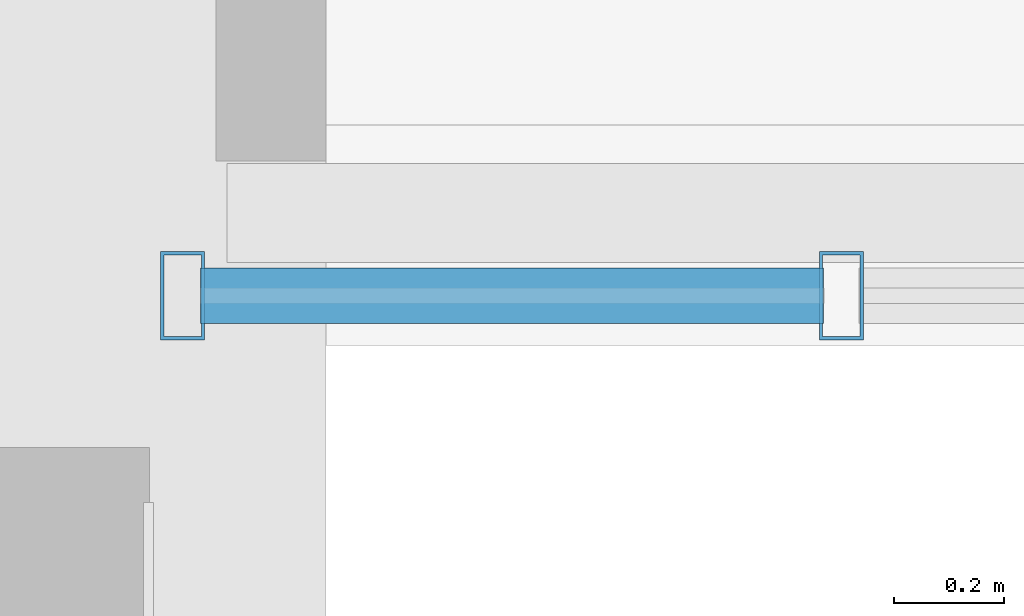
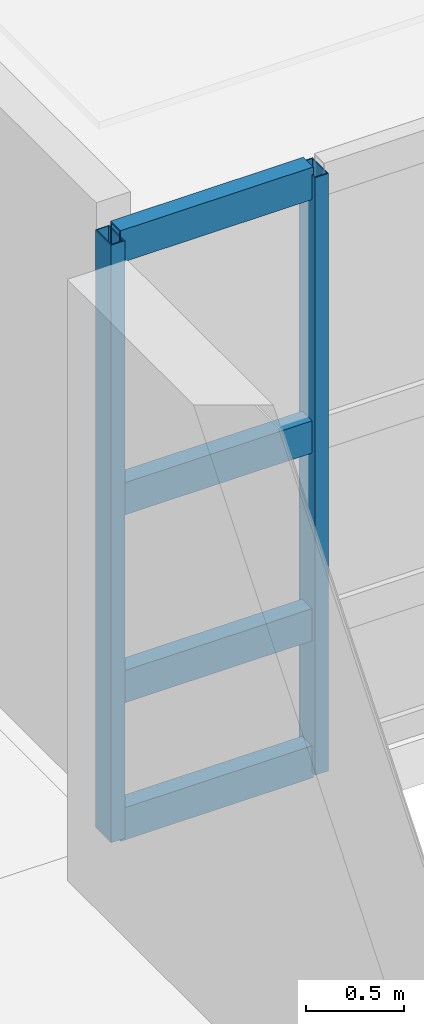
# One storey, part 53 of 127: 6 members, 1 element without a shape of its own.
"""IFC4 building model written with IfcOpenShell, lengths in metres."""

from ifc_helpers import new_model, si_unit, derived_unit, direction, frame, origin, origin_2d, place, context, subcontext, project, spatial, hollow_rectangle, extrude, material, layer, layer_set, material_profile, profile_set, type_object, element, aggregate, save


model = new_model("IFC4")

# Units and contexts
model_context = context("Model", 3, precision=1e-05, world=origin(), true_north=direction((0.0, 1.0)))
body_context = subcontext(model_context, "Body", "Model", "MODEL_VIEW")
ifc_project = project(units=[si_unit("LENGTHUNIT", "METRE"), si_unit("AREAUNIT", "SQUARE_METRE"), si_unit("VOLUMEUNIT", "CUBIC_METRE"), si_unit("PLANEANGLEUNIT", "RADIAN"), si_unit("MASSUNIT", "GRAM", prefix="KILO"), derived_unit("THERMALTRANSMITTANCEUNIT", [(si_unit("POWERUNIT", "WATT"), 1), (si_unit("LENGTHUNIT", "METRE"), -2), (si_unit("THERMODYNAMICTEMPERATUREUNIT", "KELVIN"), -1)])], contexts=[model_context])

# Site, building, storey
site_placement = place(None, origin())
site = spatial("IfcSite", under=ifc_project, at=site_placement, CompositionType="ELEMENT")
building_placement = place(site_placement, origin())
building = spatial("IfcBuilding", under=site, at=building_placement, Name="Nallur Shell Playhouse", CompositionType="ELEMENT")
storey_placement = place(building_placement, frame((0.0, 0.0, 5.39990234375)))
storey = spatial("IfcBuildingStorey", under=building, at=storey_placement, Name="L02", CompositionType="ELEMENT", Elevation=5.39990234375)

# Curtain wall, members
ifc_material_1 = material(Name="Anodised Aluminium Double-Glazed Facade System", Category="aluminium")
ifc_layer = layer(ifc_material_1, 0.159912109375)
ifc_layer_set = layer_set([ifc_layer], Name="Anodised Aluminium Double-Glazed Facade System")
curtain_wall_type = type_object("IfcCurtainWallType", Name="CW-UNIT-18", PredefinedType="NOTDEFINED", material=ifc_layer_set)
curtain_wall_placement = place(storey_placement, origin())
curtain_wall = element("IfcCurtainWall", 1, at=curtain_wall_placement, inside=storey, type_object=curtain_wall_type, Name="Unitised curtain wall CW-050 (L02)", PredefinedType="NOTDEFINED")
ifc_material_2 = material(Name="Aluminium Alloy 6063-T6 Mullion", Category="aluminium")
ifc_material_profile_1 = material_profile(ifc_material_2, hollow_rectangle(XDim=0.080078125, YDim=0.159912109375, WallThickness=0.006103515625, at=origin_2d()), Name="RHS 160x80x6")
ifc_profile_set_1 = profile_set([ifc_material_profile_1], Name="Aluminium Alloy 6063-T6 Mullion")
member_type_1 = type_object("IfcMemberType", Name="MB-CW-MUL150", PredefinedType="MULLION", material=ifc_profile_set_1)
member_1_placement = place(storey_placement, frame((119.83447265625, 24.090087890625, -0.014892578125), z_axis=(0.0, 0.0, 1.0), x_axis=(-1.0, 0.0, 0.0)))
member_1 = element("IfcMember", 2, at=member_1_placement, type_object=member_type_1, Name="CW-18 mullion 3", PredefinedType="MULLION", context=body_context, shape_type="SweptSolid", body=[
    extrude(hollow_rectangle(XDim=0.080078125, YDim=0.159912109375, WallThickness=0.006103515625, at=origin_2d()), origin(), (0.0, 0.0, 1.0), 3.7041015625),
])
member_2_placement = place(storey_placement, frame((118.639892578125, 24.090087890625, -0.014892578125), z_axis=(0.0, 0.0, 1.0), x_axis=(-1.0, 0.0, 0.0)))
member_2 = element("IfcMember", 3, at=member_2_placement, type_object=member_type_1, Name="CW-18 mullion 4", PredefinedType="MULLION", context=body_context, shape_type="SweptSolid", body=[
    extrude(hollow_rectangle(XDim=0.080078125, YDim=0.159912109375, WallThickness=0.006103515625, at=origin_2d()), origin(), (0.0, 0.0, 1.0), 3.7041015625),
])
ifc_material_3 = material(Name="Aluminium Alloy 6063-T6 Transom", Category="aluminium")
ifc_material_profile_2 = material_profile(ifc_material_3, hollow_rectangle(XDim=0.10009765625, YDim=0.199951171875, WallThickness=0.008056640625, at=origin_2d()), Name="RHS 200x100x8")
ifc_profile_set_2 = profile_set([ifc_material_profile_2], Name="Aluminium Alloy 6063-T6 Transom")
member_type_2 = type_object("IfcMemberType", Name="MB-CW-TRN140", PredefinedType="USERDEFINED", material=ifc_profile_set_2)
member_3_placement = place(storey_placement, frame((119.802490234375, 24.090087890625, 0.050048828125), z_axis=(-1.0, 0.0, 0.0), x_axis=(0.0, -1.0, 0.0)))
member_3 = element("IfcMember", 4, at=member_3_placement, type_object=member_type_2, Name="CW-18 transom 3.1", ObjectType="TRANSOM", PredefinedType="USERDEFINED", context=body_context, shape_type="SweptSolid", body=[
    extrude(hollow_rectangle(XDim=0.10009765625, YDim=0.199951171875, WallThickness=0.008056640625, at=origin_2d()), origin(), (0.0, 0.0, 1.0), 1.13037109375),
])
member_4_placement = place(storey_placement, frame((119.802490234375, 24.090087890625, 0.900146484375), z_axis=(-1.0, 0.0, 0.0), x_axis=(0.0, -1.0, 0.0)))
member_4 = element("IfcMember", 5, at=member_4_placement, type_object=member_type_2, Name="CW-18 transom 3.2", ObjectType="TRANSOM", PredefinedType="USERDEFINED", context=body_context, shape_type="SweptSolid", body=[
    extrude(hollow_rectangle(XDim=0.10009765625, YDim=0.199951171875, WallThickness=0.008056640625, at=origin_2d()), origin(), (0.0, 0.0, 1.0), 1.13037109375),
])
member_5_placement = place(storey_placement, frame((119.802490234375, 24.090087890625, 2.064208984375), z_axis=(-1.0, 0.0, 0.0), x_axis=(0.0, -1.0, 0.0)))
member_5 = element("IfcMember", 6, at=member_5_placement, type_object=member_type_2, Name="CW-18 transom 3.3", ObjectType="TRANSOM", PredefinedType="USERDEFINED", context=body_context, shape_type="SweptSolid", body=[
    extrude(hollow_rectangle(XDim=0.10009765625, YDim=0.199951171875, WallThickness=0.008056640625, at=origin_2d()), origin(), (0.0, 0.0, 1.0), 1.13037109375),
])
member_6_placement = place(storey_placement, frame((119.802490234375, 24.090087890625, 3.635009765625), z_axis=(-1.0, 0.0, 0.0), x_axis=(0.0, -1.0, 0.0)))
member_6 = element("IfcMember", 7, at=member_6_placement, type_object=member_type_2, Name="CW-18 transom 3.4", ObjectType="TRANSOM", PredefinedType="USERDEFINED", context=body_context, shape_type="SweptSolid", body=[
    extrude(hollow_rectangle(XDim=0.10009765625, YDim=0.199951171875, WallThickness=0.008056640625, at=origin_2d()), origin(), (0.0, 0.0, 1.0), 1.13037109375),
])
aggregate(curtain_wall, [member_1, member_2, member_3, member_4, member_5, member_6])

save(model, "model.ifc")
